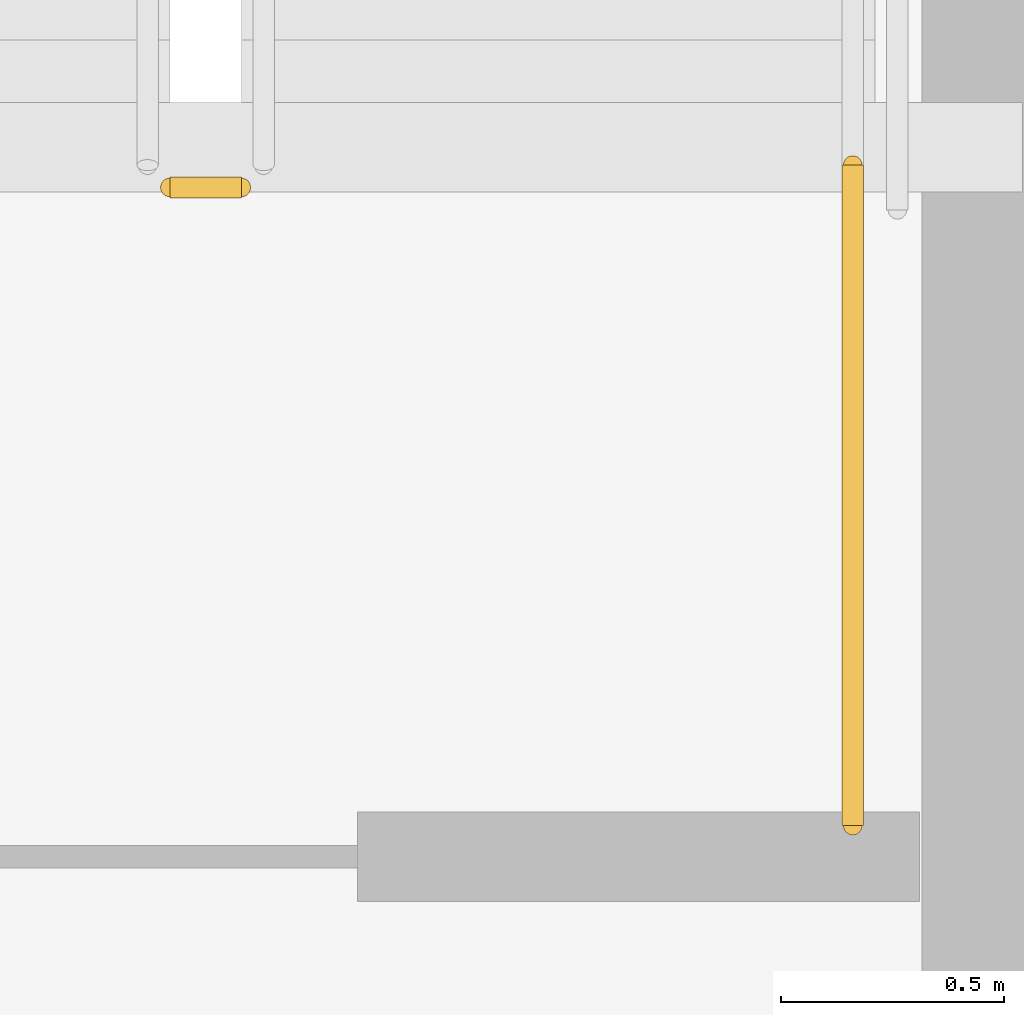
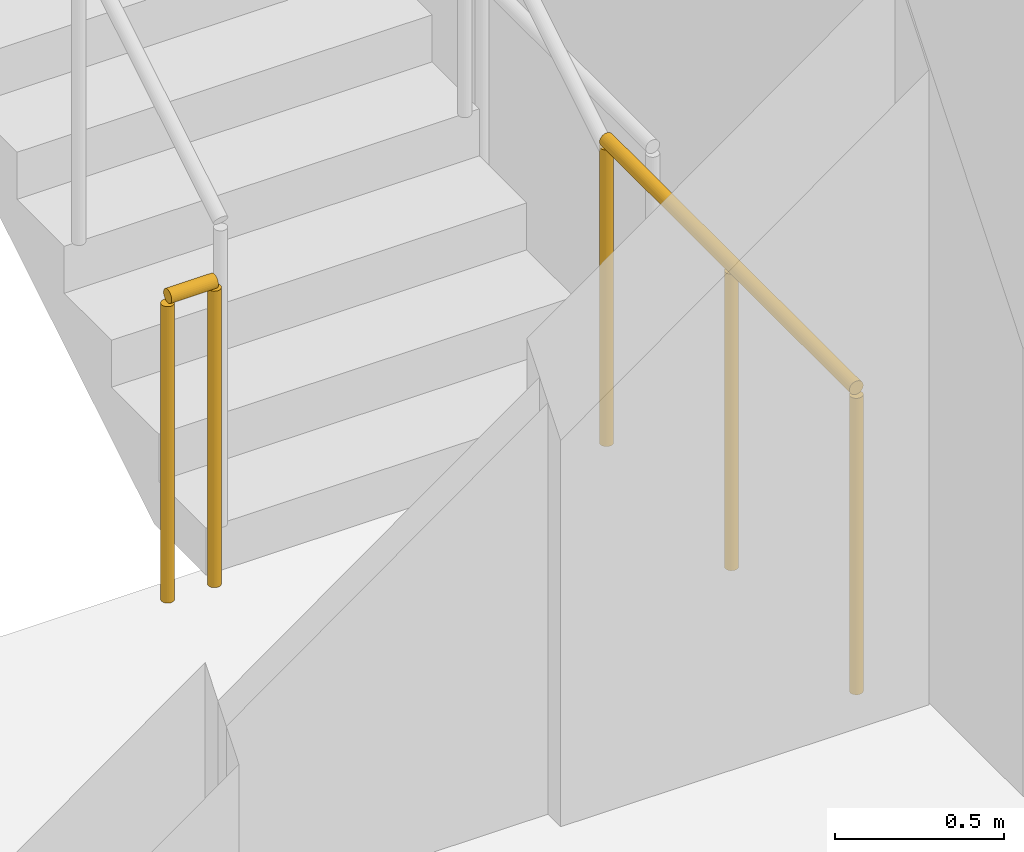
# One storey, part 28 of 32: 2 railings.
"""IFC4 building model written with IfcOpenShell, lengths in metres."""

from ifc_helpers import new_model, si_unit, direction, frame, origin, origin_2d, place, context, subcontext, project, spatial, circle, extrude, material, layer, layer_set, type_object, element, save


model = new_model("IFC4")

# Units and contexts
model_context = context("Model", 3, precision=1e-05, world=origin(), true_north=direction((0.0, 1.0)))
body_context = subcontext(model_context, "Body", "Model", "MODEL_VIEW")
ifc_project = project(units=[si_unit("LENGTHUNIT", "METRE"), si_unit("AREAUNIT", "SQUARE_METRE"), si_unit("VOLUMEUNIT", "CUBIC_METRE"), si_unit("PLANEANGLEUNIT", "RADIAN"), si_unit("MASSUNIT", "GRAM", prefix="KILO")], contexts=[model_context])

# Site, building, storey
site_placement = place(None, origin())
site = spatial("IfcSite", under=ifc_project, at=site_placement, CompositionType="ELEMENT")
building_placement = place(site_placement, origin())
building = spatial("IfcBuilding", under=site, at=building_placement, Name="Yelkora Congress Tower", CompositionType="ELEMENT")
storey_placement = place(building_placement, frame((0.0, 0.0, 133.89990234375)))
storey = spatial("IfcBuildingStorey", under=building, at=storey_placement, Name="L36", CompositionType="ELEMENT", Elevation=133.89990234375)

# Railings
ifc_material = material(Name="Painted galvanised steel stair well guard with vertical infill", Category="steel")
ifc_layer = layer(ifc_material, 0.06005859375)
ifc_layer_set = layer_set([ifc_layer], Name="Painted galvanised steel stair well guard with vertical infill")
railing_type = type_object("IfcRailingType", Name="RAIL-STAIR-GUARD-1120", PredefinedType="GUARDRAIL", material=ifc_layer_set)
railing_1_placement = place(storey_placement, frame((25.39990234375, 39.550048828125, 0.0)))
element("IfcRailing", 1, at=railing_1_placement, inside=storey, type_object=railing_type, Name="ST-01 L36 Stair Well Guardrail 7", PredefinedType="GUARDRAIL", context=body_context, shape_type="SweptSolid", body=[
    extrude(circle(Radius=0.02392578125, at=origin_2d()), frame((0.0, 0.0, 1.09619140625), z_axis=(-1.0, 0.0, 0.0), x_axis=(0.0, -1.0, 0.0)), (0.0, 0.0, 1.0), 0.159912109375),
    extrude(circle(Radius=0.02099609375, at=origin_2d()), origin(), (0.0, 0.0, 1.0), 1.072021484375),
    extrude(circle(Radius=0.02099609375, at=origin_2d()), frame((-0.159912109375, 0.0, 0.0)), (0.0, 0.0, 1.0), 1.072021484375),
])
railing_2_placement = place(storey_placement, frame((26.77001953125, 38.1201171875, 0.0)))
element("IfcRailing", 2, at=railing_2_placement, inside=storey, type_object=railing_type, Name="ST-01 L36 Stair Well Guardrail 8", PredefinedType="GUARDRAIL", context=body_context, shape_type="SweptSolid", body=[
    extrude(circle(Radius=0.02392578125, at=origin_2d()), frame((0.0, 0.0, 1.09619140625), z_axis=(0.0, 1.0, 0.0), x_axis=(-1.0, 0.0, 0.0)), (0.0, 0.0, 1.0), 1.47998046875),
    extrude(circle(Radius=0.02099609375, at=origin_2d()), origin(), (0.0, 0.0, 1.0), 1.072021484375),
    extrude(circle(Radius=0.02099609375, at=origin_2d()), frame((0.0, 0.739990234375, 0.0)), (0.0, 0.0, 1.0), 1.072021484375),
    extrude(circle(Radius=0.02099609375, at=origin_2d()), frame((0.0, 1.47998046875, 0.0)), (0.0, 0.0, 1.0), 1.072021484375),
])

save(model, "model.ifc")
